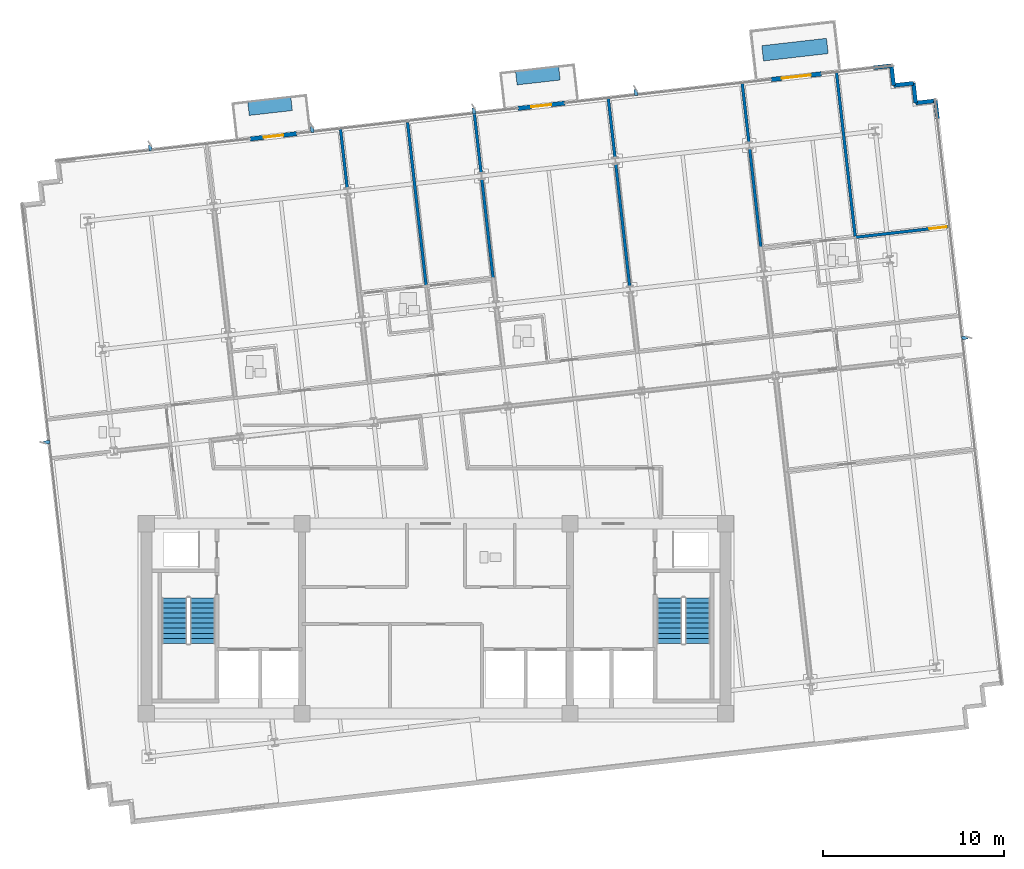
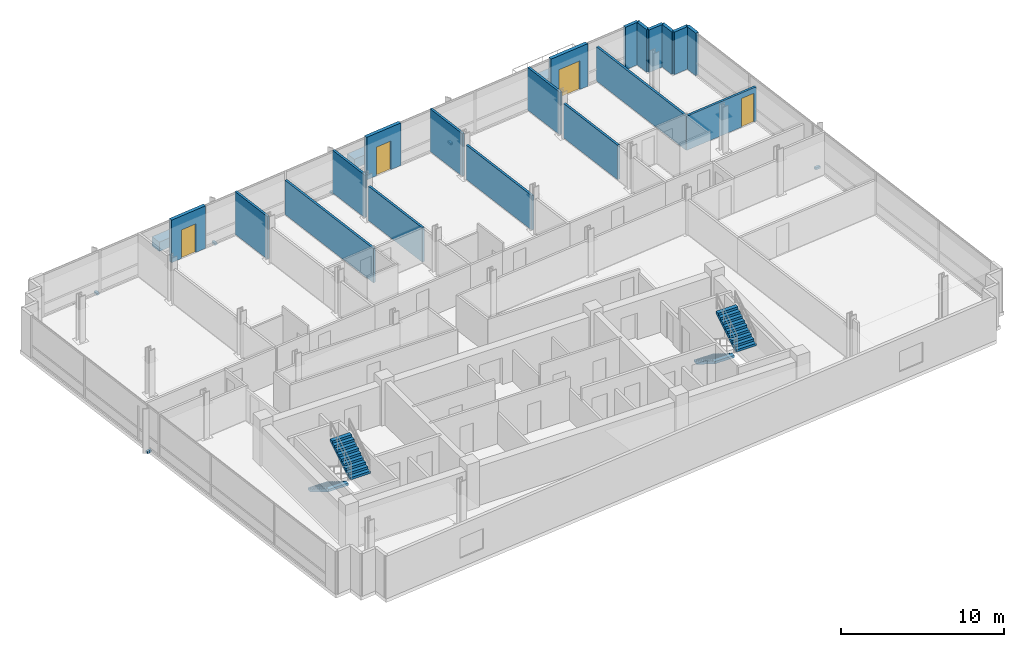
# One storey, part 12 of 16: 19 walls, 9 discrete accessories, 4 doors, 4 stair flights, 4 openings, 2 elements without a shape of their own.
"""IFC4 building model written with IfcOpenShell, lengths in metres."""

from ifc_helpers import new_model, si_unit, direction, frame, frame_2d, origin, origin_2d, place, context, subcontext, project, spatial, polyline, rectangle, outline, extrude, material, layer, layer_set, type_object, element, fill, aggregate, save


model = new_model("IFC4")

# Units and contexts
model_context = context("Model", 3, precision=1e-05, world=origin(), true_north=direction((0.0, 1.0)))
body_context = subcontext(model_context, "Body", "Model", "MODEL_VIEW")
ifc_project = project(units=[si_unit("LENGTHUNIT", "METRE"), si_unit("AREAUNIT", "SQUARE_METRE"), si_unit("VOLUMEUNIT", "CUBIC_METRE"), si_unit("PLANEANGLEUNIT", "RADIAN"), si_unit("MASSUNIT", "GRAM", prefix="KILO")], contexts=[model_context])

# Site, building, storey
site_placement = place(None, origin())
site = spatial("IfcSite", under=ifc_project, at=site_placement, CompositionType="ELEMENT")
building_placement = place(site_placement, origin())
building = spatial("IfcBuilding", under=site, at=building_placement, Name="Solmavex Isthmus Hotel", CompositionType="ELEMENT")
storey_placement = place(building_placement, frame((0.0, 0.0, 215.85009765625)))
storey = spatial("IfcBuildingStorey", under=building, at=storey_placement, Name="L58", CompositionType="ELEMENT", Elevation=215.85009765625)

# Wall, opening, door
ifc_material_1 = material(Name="Precast Concrete C40/50", Category="concrete")
ifc_layer_1 = layer(ifc_material_1, 0.25)
ifc_layer_set_1 = layer_set([ifc_layer_1], Name="Precast Concrete C40/50")
wall_type_1 = type_object("IfcWallType", Name="EW-TWR-250", PredefinedType="STANDARD", material=ifc_layer_set_1)
wall_1_placement = place(storey_placement, frame((18.51318359375, 22.02978515625, 0.0), z_axis=(0.0, 0.0, 1.0), x_axis=(0.993574760792, 0.113177712989, 0.0)))
wall_1 = element("IfcWall", 1, at=wall_1_placement, inside=storey, type_object=wall_type_1, Name="Sky Garden Terrace Access Wall L58", PredefinedType="STANDARD", context=body_context, shape_type="SweptSolid", body=[
    extrude(rectangle(XDim=2.800048828125, YDim=0.25, at=frame_2d((1.39990234375, 0.0))), origin(), (0.0, 0.0, 1.0), 3.18994140625),
])
opening_1_placement = place(wall_1_placement, frame((0.60009765625, 0.0, 0.0)))
opening_1 = element("IfcOpeningElement", 2, at=opening_1_placement, cuts=wall_1, Name="Opening ED-03", PredefinedType="OPENING", context=body_context, shape_type="SweptSolid", body=[
    extrude(rectangle(XDim=1.60009765625, YDim=2.14990234375, at=frame_2d((0.800048828125, 1.074951171875))), frame((0.0, 0.135009765625, 0.0), z_axis=(0.0, -1.0, 0.0), x_axis=(1.0, 0.0, 0.0)), (0.0, 0.0, 1.0), 0.27001953125),
])
ifc_material_2 = material(Name="Aluminium alloy 6063-T6", Category="aluminium")
door_type_1 = type_object("IfcDoorType", Name="EDR-SG-1600", OperationType="NOTDEFINED", PredefinedType="DOOR", material=ifc_material_2)
door_1_placement = place(opening_1_placement, origin())
door_1 = element("IfcDoor", 3, at=door_1_placement, inside=storey, type_object=door_type_1, Name="Sky Garden Terrace Access Door L58", OperationType="DOUBLE_DOOR_SINGLE_SWING", OverallHeight=2.14990234375, OverallWidth=1.60009765625, PredefinedType="DOOR", context=body_context, shape_type="SweptSolid", body=[
    extrude(rectangle(XDim=1.60009765625, YDim=2.14990234375, at=frame_2d((0.800048828125, 1.074951171875))), frame((0.0, 0.02490234375, 0.0), z_axis=(0.0, -1.0, 0.0), x_axis=(1.0, 0.0, 0.0)), (0.0, 0.0, 1.0), 0.050048828125),
])
fill(opening_1, door_1)

wall_2_placement = place(storey_placement, frame((-10.26953125, 18.750244140625, 0.0), z_axis=(0.0, 0.0, 1.0), x_axis=(0.993567130319, 0.113244680008, 0.0)))
wall_2 = element("IfcWall", 4, at=wall_2_placement, inside=storey, type_object=wall_type_1, Name="Exterior Balcony Door Wall L58-2", PredefinedType="STANDARD", context=body_context, shape_type="SweptSolid", body=[
    extrude(rectangle(XDim=2.60009765625, YDim=0.239990234375, at=frame_2d((1.300048828125, 0.0))), origin(), (0.0, 0.0, 1.0), 3.18994140625),
])
opening_2_placement = place(wall_2_placement, frame((0.75, 0.0, 0.0)))
opening_2 = element("IfcOpeningElement", 5, at=opening_2_placement, cuts=wall_2, Name="Opening ED-02", PredefinedType="OPENING", context=body_context, shape_type="SweptSolid", body=[
    extrude(rectangle(XDim=1.10009765625, YDim=2.14990234375, at=frame_2d((0.550048828125, 1.074951171875))), frame((0.0, 0.1298828125, 0.0), z_axis=(0.0, -1.0, 0.0), x_axis=(1.0, 0.0, 0.0)), (0.0, 0.0, 1.0), 0.260009765625),
])
door_type_2 = type_object("IfcDoorType", Name="EDR-BALC-1100", OperationType="NOTDEFINED", PredefinedType="DOOR", material=ifc_material_2)
door_2_placement = place(opening_2_placement, origin())
door_2 = element("IfcDoor", 6, at=door_2_placement, inside=storey, type_object=door_type_2, Name="Balcony & Terrace Glazed Door L58-2", OperationType="SINGLE_SWING_RIGHT", OverallHeight=2.14990234375, OverallWidth=1.10009765625, PredefinedType="DOOR", context=body_context, shape_type="SweptSolid", body=[
    extrude(rectangle(XDim=1.10009765625, YDim=2.14990234375, at=frame_2d((0.550048828125, 1.074951171875))), frame((0.0, 0.02490234375, 0.0), z_axis=(0.0, -1.0, 0.0), x_axis=(1.0, 0.0, 0.0)), (0.0, 0.0, 1.0), 0.050048828125),
])
fill(opening_2, door_2)

wall_3_placement = place(storey_placement, frame((4.52685546875, 20.43603515625, 0.0), z_axis=(0.0, 0.0, 1.0), x_axis=(0.993567130319, 0.113244680008, 0.0)))
wall_3 = element("IfcWall", 7, at=wall_3_placement, inside=storey, type_object=wall_type_1, Name="Exterior Balcony Door Wall L58-3", PredefinedType="STANDARD", context=body_context, shape_type="SweptSolid", body=[
    extrude(rectangle(XDim=2.60009765625, YDim=0.239990234375, at=frame_2d((1.300048828125, 0.0))), origin(), (0.0, 0.0, 1.0), 3.18994140625),
])
opening_3_placement = place(wall_3_placement, frame((0.75, 0.0, 0.0)))
opening_3 = element("IfcOpeningElement", 8, at=opening_3_placement, cuts=wall_3, Name="Opening ED-02", PredefinedType="OPENING", context=body_context, shape_type="SweptSolid", body=[
    extrude(rectangle(XDim=1.10009765625, YDim=2.14990234375, at=frame_2d((0.550048828125, 1.074951171875))), frame((0.0, 0.1298828125, 0.0), z_axis=(0.0, -1.0, 0.0), x_axis=(1.0, 0.0, 0.0)), (0.0, 0.0, 1.0), 0.260009765625),
])
door_3_placement = place(opening_3_placement, origin())
door_3 = element("IfcDoor", 9, at=door_3_placement, inside=storey, type_object=door_type_2, Name="Balcony & Terrace Glazed Door L58-3", OperationType="SINGLE_SWING_LEFT", OverallHeight=2.14990234375, OverallWidth=1.10009765625, PredefinedType="DOOR", context=body_context, shape_type="SweptSolid", body=[
    extrude(rectangle(XDim=1.10009765625, YDim=2.14990234375, at=frame_2d((0.550048828125, 1.074951171875))), frame((0.0, 0.02490234375, 0.0), z_axis=(0.0, -1.0, 0.0), x_axis=(1.0, 0.0, 0.0)), (0.0, 0.0, 1.0), 0.050048828125),
])
fill(opening_3, door_3)

# Walls
wall_4_placement = place(storey_placement, frame((24.175537109375, 22.684814453125, 0.0), z_axis=(0.0, 0.0, 1.0), x_axis=(0.993573147212, 0.113191877531, 0.0)))
element("IfcWall", 10, at=wall_4_placement, inside=storey, type_object=wall_type_1, Name="Serrated Corner Facade Panel L58-14", PredefinedType="STANDARD", context=body_context, shape_type="SweptSolid", body=[
    extrude(rectangle(XDim=0.989990234375, YDim=0.219970703125, at=frame_2d((0.4951171875, 0.0))), origin(), (0.0, 0.0, 1.0), 3.18994140625),
])
for number, where, z_axis, x_axis, name in (
    (11, (25.1591796875, 22.796875, 0.0), (0.0, 0.0, 1.0), (0.11320852056, -0.99357125103, 0.0), "Serrated Corner Facade Panel L58-15"),
    (12, (25.28369140625, 21.7041015625, 0.0), (0.0, 0.0, 1.0), (0.99357125103, 0.11320852056, 0.0), "Serrated Corner Facade Panel L58-16"),
):
    element("IfcWall", number, at=place(storey_placement, frame(where, z_axis=z_axis, x_axis=x_axis)), inside=storey, type_object=wall_type_1, Name=name, PredefinedType="STANDARD", context=body_context, shape_type="SweptSolid", body=[
        extrude(rectangle(XDim=1.099853515625, YDim=0.219970703125, at=frame_2d((0.5498046875, 0.0))), origin(), (0.0, 0.0, 1.0), 3.18994140625),
    ])
wall_5_placement = place(storey_placement, frame((26.37646484375, 21.82861328125, 0.0), z_axis=(0.0, 0.0, 1.0), x_axis=(0.113402635104, -0.993549114212, 0.0)))
element("IfcWall", 13, at=wall_5_placement, inside=storey, type_object=wall_type_1, Name="Serrated Corner Facade Panel L58-17", PredefinedType="STANDARD", context=body_context, shape_type="SweptSolid", body=[
    extrude(rectangle(XDim=1.10009765625, YDim=0.219970703125, at=frame_2d((0.550048828125, 0.0))), origin(), (0.0, 0.0, 1.0), 3.18994140625),
])
wall_6_placement = place(storey_placement, frame((26.501220703125, 20.735595703125, 0.0), z_axis=(0.0, 0.0, 1.0), x_axis=(0.99357125103, 0.11320852056, 0.0)))
element("IfcWall", 14, at=wall_6_placement, inside=storey, type_object=wall_type_1, Name="Serrated Corner Facade Panel L58-18", PredefinedType="STANDARD", context=body_context, shape_type="SweptSolid", body=[
    extrude(rectangle(XDim=1.099853515625, YDim=0.219970703125, at=frame_2d((0.5498046875, 0.0))), origin(), (0.0, 0.0, 1.0), 3.18994140625),
])
wall_7_placement = place(storey_placement, frame((27.593994140625, 20.860107421875, 0.0), z_axis=(0.0, 0.0, 1.0), x_axis=(0.113191877531, -0.993573147212, 0.0)))
element("IfcWall", 15, at=wall_7_placement, inside=storey, type_object=wall_type_1, Name="Serrated Corner Facade Panel L58-19", PredefinedType="STANDARD", context=body_context, shape_type="SweptSolid", body=[
    extrude(rectangle(XDim=0.989990234375, YDim=0.219970703125, at=frame_2d((0.4951171875, 0.0))), origin(), (0.0, 0.0, 1.0), 3.18994140625),
])
ifc_material_3 = material(Name="Gypsum plasterboard lining", Category="gypsum")
ifc_layer_2 = layer(ifc_material_3, 0.159912109375)
ifc_layer_set_2 = layer_set([ifc_layer_2], Name="Gypsum plasterboard lining")
wall_type_2 = type_object("IfcWallType", Name="IW-COMP-160", PredefinedType="PARTITIONING", material=ifc_layer_set_2)
wall_8_placement = place(storey_placement, frame((-5.283447265625, 19.358642578125, 0.0), z_axis=(0.0, 0.0, 1.0), x_axis=(0.113252098743, -0.993566284719, 0.0)))
element("IfcWall", 16, at=wall_8_placement, inside=storey, type_object=wall_type_2, Name="Interior Partition Wall W-L58-P033", PredefinedType="PARTITIONING", context=body_context, shape_type="SweptSolid", body=[
    extrude(rectangle(XDim=3.343505859375, YDim=0.159912109375, at=frame_2d((1.671875, 0.0))), origin(), (0.0, 0.0, 1.0), 3.18994140625),
])
wall_9_placement = place(storey_placement, frame((-1.57080078125, 19.660888671875, 0.0), z_axis=(0.0, 0.0, 1.0), x_axis=(0.113203891119, -0.993571778502, 0.0)))
element("IfcWall", 17, at=wall_9_placement, inside=storey, type_object=wall_type_2, Name="Interior Partition Wall W-L58-P042", PredefinedType="PARTITIONING", context=body_context, shape_type="SweptSolid", body=[
    extrude(rectangle(XDim=9.14208984375, YDim=0.159912109375, at=frame_2d((4.571044921875, 0.0))), origin(), (0.0, 0.0, 1.0), 2.557373046875),
])
wall_10_placement = place(storey_placement, frame((2.11474609375, 20.20166015625, 0.0), z_axis=(0.0, 0.0, 1.0), x_axis=(0.113243883011, -0.993567221158, 0.0)))
element("IfcWall", 18, at=wall_10_placement, inside=storey, type_object=wall_type_2, Name="Interior Partition Wall W-L58-P044", PredefinedType="PARTITIONING", context=body_context, shape_type="SweptSolid", body=[
    extrude(rectangle(XDim=3.34375, YDim=0.159912109375, at=frame_2d((1.671875, 0.0))), origin(), (0.0, 0.0, 1.0), 3.18994140625),
])
wall_11_placement = place(storey_placement, frame((2.533203125, 16.529052734375, 0.0), z_axis=(0.0, 0.0, 1.0), x_axis=(0.113213802723, -0.99357064916, 0.0)))
element("IfcWall", 19, at=wall_11_placement, inside=storey, type_object=wall_type_2, Name="Interior Partition Wall W-L58-P045", PredefinedType="PARTITIONING", context=body_context, shape_type="SweptSolid", body=[
    extrude(rectangle(XDim=5.56591796875, YDim=0.159912109375, at=frame_2d((2.782958984375, 0.0))), origin(), (0.0, 0.0, 1.0), 2.572265625),
])
wall_12_placement = place(storey_placement, frame((9.512939453125, 21.04443359375, 0.0), z_axis=(0.0, 0.0, 1.0), x_axis=(0.113180015629, -0.993574498496, 0.0)))
element("IfcWall", 20, at=wall_12_placement, inside=storey, type_object=wall_type_2, Name="Interior Partition Wall W-L58-P048", PredefinedType="PARTITIONING", context=body_context, shape_type="SweptSolid", body=[
    extrude(rectangle(XDim=3.343505859375, YDim=0.159912109375, at=frame_2d((1.671875, 0.0))), origin(), (0.0, 0.0, 1.0), 3.18994140625),
])
wall_13_placement = place(storey_placement, frame((9.931396484375, 17.371826171875, 0.0), z_axis=(0.0, 0.0, 1.0), x_axis=(0.113217453743, -0.993570233133, 0.0)))
element("IfcWall", 21, at=wall_13_placement, inside=storey, type_object=wall_type_2, Name="Interior Partition Wall W-L58-P049", PredefinedType="PARTITIONING", context=body_context, shape_type="SweptSolid", body=[
    extrude(rectangle(XDim=6.799072265625, YDim=0.159912109375, at=frame_2d((3.3994140625, 0.0))), origin(), (0.0, 0.0, 1.0), 2.572265625),
])
wall_14_placement = place(storey_placement, frame((16.9111328125, 21.887451171875, 0.0), z_axis=(0.0, 0.0, 1.0), x_axis=(0.113171804991, -0.993575433752, 0.0)))
element("IfcWall", 22, at=wall_14_placement, inside=storey, type_object=wall_type_2, Name="Interior Partition Wall W-L58-P053", PredefinedType="PARTITIONING", context=body_context, shape_type="SweptSolid", body=[
    extrude(rectangle(XDim=3.34375, YDim=0.159912109375, at=frame_2d((1.671875, 0.0))), origin(), (0.0, 0.0, 1.0), 3.18994140625),
])
wall_15_placement = place(storey_placement, frame((17.32958984375, 18.21484375, 0.0), z_axis=(0.0, 0.0, 1.0), x_axis=(0.11319786206, -0.993572465412, 0.0)))
element("IfcWall", 23, at=wall_15_placement, inside=storey, type_object=wall_type_2, Name="Interior Partition Wall W-L58-P054", PredefinedType="PARTITIONING", context=body_context, shape_type="SweptSolid", body=[
    extrude(rectangle(XDim=5.607666015625, YDim=0.159912109375, at=frame_2d((2.8037109375, 0.0))), origin(), (0.0, 0.0, 1.0), 2.572265625),
])

# Wall, opening, door
wall_16_placement = place(storey_placement, frame((23.11572265625, 13.312744140625, 0.0), z_axis=(0.0, 0.0, 1.0), x_axis=(0.993572886565, 0.113194165406, 0.0)))
wall_16 = element("IfcWall", 24, at=wall_16_placement, inside=storey, type_object=wall_type_2, Name="Interior Partition Wall W-L58-P056", PredefinedType="PARTITIONING", context=body_context, shape_type="SweptSolid", body=[
    extrude(rectangle(XDim=5.333740234375, YDim=0.159912109375, at=frame_2d((2.6669921875, 0.0))), origin(), (0.0, 0.0, 1.0), 2.557373046875),
])
opening_4_placement = place(wall_16_placement, frame((4.174072265625, 0.0, 0.0)))
opening_4 = element("IfcOpeningElement", 25, at=opening_4_placement, cuts=wall_16, Name="Opening ID-C095", PredefinedType="OPENING", context=body_context, shape_type="SweptSolid", body=[
    extrude(rectangle(XDim=0.949951171875, YDim=2.14990234375, at=frame_2d((0.47509765625, 1.074951171875))), frame((0.0, 0.08984375, 0.0), z_axis=(0.0, -1.0, 0.0), x_axis=(1.0, 0.0, 0.0)), (0.0, 0.0, 1.0), 0.179931640625),
])
ifc_material_4 = material(Name="Hardwood timber", Category="wood")
door_type_3 = type_object("IfcDoorType", Name="IDR-FD60-0950", OperationType="NOTDEFINED", PredefinedType="DOOR", material=ifc_material_4)
door_4_placement = place(opening_4_placement, origin())
door_4 = element("IfcDoor", 26, at=door_4_placement, inside=storey, type_object=door_type_3, Name="Ambassador Panorama Suite Panorama Sitting Study Door L58-13", OperationType="SINGLE_SWING_LEFT", OverallHeight=2.14990234375, OverallWidth=0.949951171875, PredefinedType="DOOR", context=body_context, shape_type="SweptSolid", body=[
    extrude(rectangle(XDim=0.949951171875, YDim=2.14990234375, at=frame_2d((0.47509765625, 1.074951171875))), frame((0.0, 0.02490234375, 0.0), z_axis=(0.0, -1.0, 0.0), x_axis=(1.0, 0.0, 0.0)), (0.0, 0.0, 1.0), 0.050048828125),
])
fill(opening_4, door_4)

# Wall
wall_17_placement = place(storey_placement, frame((22.121337890625, 22.48095703125, 0.0), z_axis=(0.0, 0.0, 1.0), x_axis=(0.113214276033, -0.993570595228, 0.0)))
element("IfcWall", 27, at=wall_17_placement, inside=storey, type_object=wall_type_2, Name="Interior Partition Wall W-L58-P061", PredefinedType="PARTITIONING", context=body_context, shape_type="SweptSolid", body=[
    extrude(rectangle(XDim=9.261962890625, YDim=0.159912109375, at=frame_2d((4.630859375, 0.0))), origin(), (0.0, 0.0, 1.0), 2.557373046875),
])

# Stair, stair flights
ifc_material_5 = material(Name="Concrete C40/50", Category="concrete")
stair_type_1 = type_object("IfcStairType", Name="STR-ST-1", PredefinedType="HALF_TURN_STAIR", material=ifc_material_5)
stair_1_placement = place(storey_placement, origin())
stair_1 = element("IfcStair", 28, at=stair_1_placement, inside=storey, type_object=stair_type_1, Name="L58 Protected Exit Stair ST-1", PredefinedType="HALF_TURN_STAIR")
stair_flight_type_1 = type_object("IfcStairFlightType", Name="SFL-ST-1", PredefinedType="STRAIGHT", material=ifc_material_5)
stair_flight_1_placement = place(storey_placement, frame((-14.449951171875, -6.60009765625, 0.0), z_axis=(0.0, 0.0, 1.0), x_axis=(0.0, -1.0, 0.0)))
stair_flight_1 = element("IfcStairFlight", 29, at=stair_flight_1_placement, type_object=stair_flight_type_1, Name="ST-1 flight 1", NumberOfRisers=10, NumberOfTreads=9, PredefinedType="STRAIGHT", RiserHeight=0.1725, TreadLength=0.28, context=body_context, shape_type="SweptSolid", body=[
    extrude(outline(polyline([(0.0, 0.0), (0.0, 0.172607421875), (0.280029296875, 0.172607421875), (0.280029296875, 0.344970703125), (0.56005859375, 0.344970703125), (0.56005859375, 0.517578125), (0.840087890625, 0.517578125), (0.840087890625, 0.68994140625), (1.1201171875, 0.68994140625), (1.1201171875, 0.862548828125), (1.39990234375, 0.862548828125), (1.39990234375, 1.034912109375), (1.679931640625, 1.034912109375), (1.679931640625, 1.20751953125), (1.9599609375, 1.20751953125), (1.9599609375, 1.3798828125), (2.239990234375, 1.3798828125), (2.239990234375, 1.552490234375), (2.52001953125, 1.552490234375), (2.52001953125, 1.72509765625), (2.52001953125, 1.37646484375), (0.285888671875, 0.0), (0.0, 0.0)])), frame((0.0, 0.699951171875, 0.0), z_axis=(0.0, -1.0, 0.0), x_axis=(1.0, 0.0, 0.0)), (0.0, 0.0, 1.0), 1.39990234375),
])
stair_flight_2_placement = place(storey_placement, frame((-12.89990234375, -9.1201171875, 1.724853515625), z_axis=(0.0, 0.0, 1.0), x_axis=(0.0, 1.0, 0.0)))
stair_flight_2 = element("IfcStairFlight", 30, at=stair_flight_2_placement, type_object=stair_flight_type_1, Name="ST-1 flight 2", NumberOfRisers=10, NumberOfTreads=9, PredefinedType="STRAIGHT", RiserHeight=0.1725, TreadLength=0.28, context=body_context, shape_type="SweptSolid", body=[
    extrude(outline(polyline([(0.0, 0.0), (0.0, 0.172607421875), (0.280029296875, 0.172607421875), (0.280029296875, 0.344970703125), (0.56005859375, 0.344970703125), (0.56005859375, 0.517578125), (0.840087890625, 0.517578125), (0.840087890625, 0.68994140625), (1.1201171875, 0.68994140625), (1.1201171875, 0.862548828125), (1.39990234375, 0.862548828125), (1.39990234375, 1.034912109375), (1.679931640625, 1.034912109375), (1.679931640625, 1.20751953125), (1.9599609375, 1.20751953125), (1.9599609375, 1.3798828125), (2.239990234375, 1.3798828125), (2.239990234375, 1.552490234375), (2.52001953125, 1.552490234375), (2.52001953125, 1.72509765625), (2.52001953125, 1.37646484375), (0.285888671875, 0.0), (0.0, 0.0)])), frame((0.0, 0.699951171875, 0.0), z_axis=(0.0, -1.0, 0.0), x_axis=(1.0, 0.0, 0.0)), (0.0, 0.0, 1.0), 1.39990234375),
])
aggregate(stair_1, [stair_flight_1, stair_flight_2])

stair_type_2 = type_object("IfcStairType", Name="STR-ST-2", PredefinedType="HALF_TURN_STAIR", material=ifc_material_5)
stair_2_placement = place(storey_placement, origin())
stair_2 = element("IfcStair", 31, at=stair_2_placement, inside=storey, type_object=stair_type_2, Name="L58 Protected Exit Stair ST-2", PredefinedType="HALF_TURN_STAIR")
stair_flight_type_2 = type_object("IfcStairFlightType", Name="SFL-ST-2", PredefinedType="STRAIGHT", material=ifc_material_5)
stair_flight_3_placement = place(storey_placement, frame((12.89990234375, -6.60009765625, 0.0), z_axis=(0.0, 0.0, 1.0), x_axis=(0.0, -1.0, 0.0)))
stair_flight_3 = element("IfcStairFlight", 32, at=stair_flight_3_placement, type_object=stair_flight_type_2, Name="ST-2 flight 1", NumberOfRisers=10, NumberOfTreads=9, PredefinedType="STRAIGHT", RiserHeight=0.1725, TreadLength=0.28, context=body_context, shape_type="SweptSolid", body=[
    extrude(outline(polyline([(0.0, 0.0), (0.0, 0.172607421875), (0.280029296875, 0.172607421875), (0.280029296875, 0.344970703125), (0.56005859375, 0.344970703125), (0.56005859375, 0.517578125), (0.840087890625, 0.517578125), (0.840087890625, 0.68994140625), (1.1201171875, 0.68994140625), (1.1201171875, 0.862548828125), (1.39990234375, 0.862548828125), (1.39990234375, 1.034912109375), (1.679931640625, 1.034912109375), (1.679931640625, 1.20751953125), (1.9599609375, 1.20751953125), (1.9599609375, 1.3798828125), (2.239990234375, 1.3798828125), (2.239990234375, 1.552490234375), (2.52001953125, 1.552490234375), (2.52001953125, 1.72509765625), (2.52001953125, 1.37646484375), (0.285888671875, 0.0), (0.0, 0.0)])), frame((0.0, 0.699951171875, 0.0), z_axis=(0.0, -1.0, 0.0), x_axis=(1.0, 0.0, 0.0)), (0.0, 0.0, 1.0), 1.39990234375),
])
stair_flight_4_placement = place(storey_placement, frame((14.449951171875, -9.1201171875, 1.724853515625), z_axis=(0.0, 0.0, 1.0), x_axis=(0.0, 1.0, 0.0)))
stair_flight_4 = element("IfcStairFlight", 33, at=stair_flight_4_placement, type_object=stair_flight_type_2, Name="ST-2 flight 2", NumberOfRisers=10, NumberOfTreads=9, PredefinedType="STRAIGHT", RiserHeight=0.1725, TreadLength=0.28, context=body_context, shape_type="SweptSolid", body=[
    extrude(outline(polyline([(0.0, 0.0), (0.0, 0.172607421875), (0.280029296875, 0.172607421875), (0.280029296875, 0.344970703125), (0.56005859375, 0.344970703125), (0.56005859375, 0.517578125), (0.840087890625, 0.517578125), (0.840087890625, 0.68994140625), (1.1201171875, 0.68994140625), (1.1201171875, 0.862548828125), (1.39990234375, 0.862548828125), (1.39990234375, 1.034912109375), (1.679931640625, 1.034912109375), (1.679931640625, 1.20751953125), (1.9599609375, 1.20751953125), (1.9599609375, 1.3798828125), (2.239990234375, 1.3798828125), (2.239990234375, 1.552490234375), (2.52001953125, 1.552490234375), (2.52001953125, 1.72509765625), (2.52001953125, 1.37646484375), (0.285888671875, 0.0), (0.0, 0.0)])), frame((0.0, 0.699951171875, 0.0), z_axis=(0.0, -1.0, 0.0), x_axis=(1.0, 0.0, 0.0)), (0.0, 0.0, 1.0), 1.39990234375),
])
aggregate(stair_2, [stair_flight_3, stair_flight_4])

# Discrete accessories
ifc_material_6 = material(Name="Steel ASTM A572 Grade 50", Category="steel")
discrete_accessory_type_1 = type_object("IfcDiscreteAccessoryType", Name="ACC-BRK-FIN", PredefinedType="BRACKET", material=ifc_material_6)
for number, where, z_axis, x_axis, name in (
    (34, (-15.78076171875, 18.26318359375, -0.169921875), (0.0, 0.0, 1.0), (-0.113203213768, 0.993571855677, 0.0), "Facade Fin Support Bracket L58-N1"),
    (35, (-6.838623046875, 19.2822265625, -0.169921875), (0.0, 0.0, 1.0), (-0.113203213768, 0.993571855677, 0.0), "Facade Fin Support Bracket L58-N2"),
    (36, (2.103515625, 20.301025390625, -0.169921875), (0.0, 0.0, 1.0), (-0.113203213768, 0.993571855677, 0.0), "Facade Fin Support Bracket L58-N3"),
    (37, (11.045654296875, 21.31982421875, -0.169921875), (0.0, 0.0, 1.0), (-0.113203213768, 0.993571855677, 0.0), "Facade Fin Support Bracket L58-N4"),
    (38, (-21.49560546875, 1.99169921875, -0.169921875), (0.0, 0.0, 1.0), (-0.993571855677, -0.113203213768, 0.0), "Facade Fin Support Bracket L58-W1"),
    (39, (29.21630859375, 7.769775390625, -0.169921875), (0.0, 0.0, 1.0), (0.993571855677, 0.113203213768, 0.0), "Facade Fin Support Bracket L58-E1"),
):
    element("IfcDiscreteAccessory", number, at=place(storey_placement, frame(where, z_axis=z_axis, x_axis=x_axis)), inside=storey, type_object=discrete_accessory_type_1, Name=name, PredefinedType="BRACKET", context=body_context, shape_type="SweptSolid", body=[
        extrude(rectangle(XDim=0.340087890625, YDim=0.179931640625, at=origin_2d()), origin(), (0.0, 0.0, 1.0), 0.159912109375),
    ])
discrete_accessory_type_2 = type_object("IfcDiscreteAccessoryType", Name="ACC-PLN-BALC", PredefinedType="USERDEFINED", material=ifc_material_1)
for number, where, z_axis, x_axis, name in (
    (40, (-9.1669921875, 20.556640625, 0.0), (0.0, 0.0, 1.0), (0.993571855677, 0.113203213768, 0.0), "Tree-Balcony Architectural Planter L58-B1"),
    (41, (5.62939453125, 22.24267578125, 0.0), (0.0, 0.0, 1.0), (0.993571855677, 0.113203213768, 0.0), "Tree-Balcony Architectural Planter L58-B2"),
):
    element("IfcDiscreteAccessory", number, at=place(storey_placement, frame(where, z_axis=z_axis, x_axis=x_axis)), inside=storey, type_object=discrete_accessory_type_2, Name=name, ObjectType="PLANTER", PredefinedType="USERDEFINED", context=body_context, shape_type="SweptSolid", body=[
        extrude(rectangle(XDim=2.39990234375, YDim=0.75, at=origin_2d()), origin(), (0.0, 0.0, 1.0), 0.699951171875),
    ])
discrete_accessory_type_3 = type_object("IfcDiscreteAccessoryType", Name="ACC-PLN-SG", PredefinedType="USERDEFINED", material=ifc_material_1)
discrete_accessory_placement = place(storey_placement, frame((19.834228515625, 23.685302734375, 0.0), z_axis=(0.0, 0.0, 1.0), x_axis=(0.993571855677, 0.113203213768, 0.0)))
element("IfcDiscreteAccessory", 42, at=discrete_accessory_placement, inside=storey, type_object=discrete_accessory_type_3, Name="Sky-Garden & Terrace Botanical Tree Planter L58-T1", ObjectType="PLANTER", PredefinedType="USERDEFINED", context=body_context, shape_type="SweptSolid", body=[
    extrude(rectangle(XDim=3.60009765625, YDim=0.85009765625, at=origin_2d()), origin(), (0.0, 0.0, 1.0), 0.800048828125),
])

save(model, "model.ifc")
